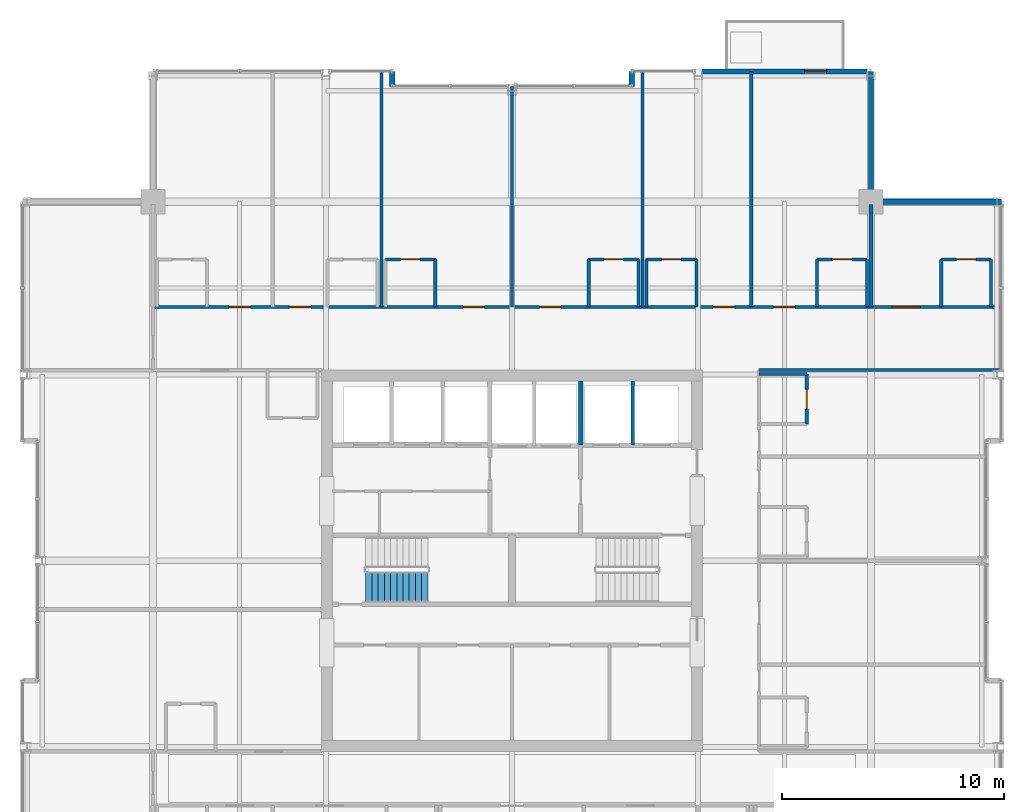
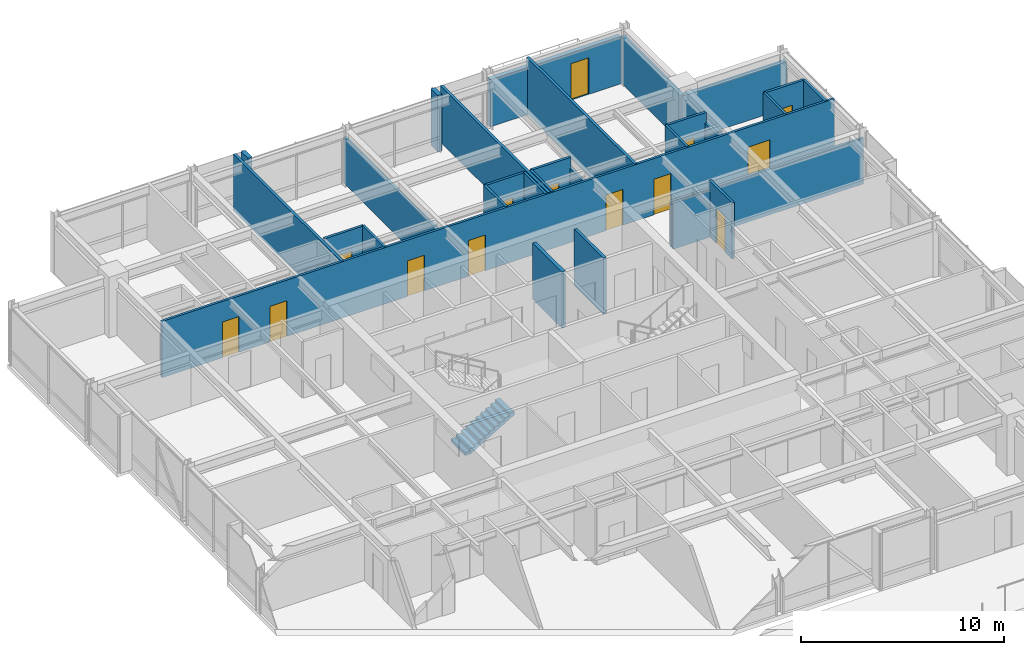
# One storey, part 28 of 32: 30 walls, 14 doors, 1 stair flight, 14 openings, 1 element without a shape of its own.
"""IFC4 building model written with IfcOpenShell, lengths in metres."""

from ifc_helpers import new_model, si_unit, direction, frame, frame_2d, origin, place, context, subcontext, project, spatial, polyline, rectangle, outline, extrude, material, layer, layer_set, type_object, element, fill, aggregate, save


model = new_model("IFC4")

# Units and contexts
model_context = context("Model", 3, precision=1e-05, world=origin(), true_north=direction((0.0, 1.0)))
body_context = subcontext(model_context, "Body", "Model", "MODEL_VIEW")
ifc_project = project(units=[si_unit("LENGTHUNIT", "METRE"), si_unit("AREAUNIT", "SQUARE_METRE"), si_unit("VOLUMEUNIT", "CUBIC_METRE"), si_unit("PLANEANGLEUNIT", "RADIAN"), si_unit("MASSUNIT", "GRAM", prefix="KILO")], contexts=[model_context])

# Site, building, storey
site_placement = place(None, origin())
site = spatial("IfcSite", under=ifc_project, at=site_placement, CompositionType="ELEMENT")
building_placement = place(site_placement, origin())
building = spatial("IfcBuilding", under=site, at=building_placement, Name="Drelvath Grand Hotel", CompositionType="ELEMENT")
storey_placement = place(building_placement, frame((0.0, 0.0, 265.0)))
storey = spatial("IfcBuildingStorey", under=building, at=storey_placement, Name="L69", CompositionType="ELEMENT", Elevation=265.0)

# Walls
ifc_material_1 = material(Name="Concrete C40/50", Category="concrete")
ifc_layer_1 = layer(ifc_material_1, 0.199951171875)
ifc_layer_set_1 = layer_set([ifc_layer_1], Name="Concrete C40/50")
wall_type_1 = type_object("IfcWallType", Name="Core Hoistway Fire Wall 200", PredefinedType="SOLIDWALL", material=ifc_layer_set_1)
wall_1_placement = place(storey_placement, frame((3.10009765625, 32.219970703125, 0.0), z_axis=(0.0, 0.0, 1.0), x_axis=(0.0, 1.0, 0.0)))
element("IfcWall", 1, at=wall_1_placement, inside=storey, type_object=wall_type_1, Name="L69 FSAE Hoistway West Wall", PredefinedType="SOLIDWALL", context=body_context, shape_type="SweptSolid", body=[
    extrude(rectangle(XDim=2.880126953125, YDim=0.199951171875, at=frame_2d((1.43994140625, 0.0))), origin(), (0.0, 0.0, 1.0), 3.389892578125),
])
ifc_material_2 = material(Name="Gypsum Fireboard Partition")
ifc_layer_2 = layer(ifc_material_2, 0.1650390625)
ifc_layer_set_2 = layer_set([ifc_layer_2], Name="Gypsum Fireboard Partition")
wall_type_2 = type_object("IfcWallType", Name="Core Shaft Partition 165", PredefinedType="PARTITIONING", material=ifc_layer_set_2)
wall_2_placement = place(storey_placement, frame((5.449951171875, 32.219970703125, 0.0), z_axis=(0.0, 0.0, 1.0), x_axis=(0.0, 1.0, 0.0)))
element("IfcWall", 2, at=wall_2_placement, inside=storey, type_object=wall_type_2, Name="L69 FSAE Hoistway Divider", PredefinedType="PARTITIONING", context=body_context, shape_type="SweptSolid", body=[
    extrude(rectangle(XDim=2.880126953125, YDim=0.1650390625, at=frame_2d((1.43994140625, 0.0))), origin(), (0.0, 0.0, 1.0), 3.389892578125),
])

# Wall, openings, doors
ifc_layer_3 = layer(ifc_material_2, 0.135009765625)
ifc_layer_set_3 = layer_set([ifc_layer_3], Name="Gypsum Fireboard Partition")
wall_type_3 = type_object("IfcWallType", Name="Corridor Fire Barrier Wall 135", PredefinedType="PARTITIONING", material=ifc_layer_set_3)
wall_3_placement = place(storey_placement, frame((-16.199951171875, 38.449951171875, 0.0), z_axis=(0.0, 0.0, 1.0), x_axis=(1.0, 0.0, 0.0)))
wall_3 = element("IfcWall", 3, at=wall_3_placement, inside=storey, type_object=wall_type_3, Name="L69 North Cross-Gallery Wall", PredefinedType="PARTITIONING", context=body_context, shape_type="SweptSolid", body=[
    extrude(rectangle(XDim=38.280029296875, YDim=0.135009765625, at=frame_2d((19.14013671875, 0.0))), origin(), (0.0, 0.0, 1.0), 3.389892578125),
])
opening_1_placement = place(wall_3_placement, frame((33.35498046875, 0.0, 0.0)))
opening_1 = element("IfcOpeningElement", 4, at=opening_1_placement, cuts=wall_3, Name="Opening D-T5G1-025", PredefinedType="OPENING", context=body_context, shape_type="SweptSolid", body=[
    extrude(rectangle(XDim=1.260009765625, YDim=2.199951171875, at=frame_2d((0.6298828125, 1.10009765625))), frame((0.0, 0.077392578125, 0.0), z_axis=(0.0, -1.0, 0.0), x_axis=(1.0, 0.0, 0.0)), (0.0, 0.0, 1.0), 0.155029296875),
])
opening_2_placement = place(wall_3_placement, frame((3.43505859375, 0.0, 0.0)))
opening_2 = element("IfcOpeningElement", 5, at=opening_2_placement, cuts=wall_3, Name="Opening D-T5G1-036", PredefinedType="OPENING", context=body_context, shape_type="SweptSolid", body=[
    extrude(rectangle(XDim=0.9599609375, YDim=2.14990234375, at=frame_2d((0.47998046875, 1.074951171875))), frame((0.0, 0.077392578125, 0.0), z_axis=(0.0, -1.0, 0.0), x_axis=(1.0, 0.0, 0.0)), (0.0, 0.0, 1.0), 0.155029296875),
])
opening_3_placement = place(wall_3_placement, frame((6.15966796875, 0.0, 0.0)))
opening_3 = element("IfcOpeningElement", 6, at=opening_3_placement, cuts=wall_3, Name="Opening D-T5G1-038", PredefinedType="OPENING", context=body_context, shape_type="SweptSolid", body=[
    extrude(rectangle(XDim=0.9599609375, YDim=2.14990234375, at=frame_2d((0.47998046875, 1.074951171875))), frame((0.0, 0.077392578125, 0.0), z_axis=(0.0, -1.0, 0.0), x_axis=(1.0, 0.0, 0.0)), (0.0, 0.0, 1.0), 0.155029296875),
])
opening_4_placement = place(wall_3_placement, frame((13.989501953125, 0.0, 0.0)))
opening_4 = element("IfcOpeningElement", 7, at=opening_4_placement, cuts=wall_3, Name="Opening D-T5G1-040", PredefinedType="OPENING", context=body_context, shape_type="SweptSolid", body=[
    extrude(rectangle(XDim=0.9599609375, YDim=2.14990234375, at=frame_2d((0.47998046875, 1.074951171875))), frame((0.0, 0.077392578125, 0.0), z_axis=(0.0, -1.0, 0.0), x_axis=(1.0, 0.0, 0.0)), (0.0, 0.0, 1.0), 0.155029296875),
])
opening_5_placement = place(wall_3_placement, frame((17.450439453125, 0.0, 0.0)))
opening_5 = element("IfcOpeningElement", 8, at=opening_5_placement, cuts=wall_3, Name="Opening D-T5G1-042", PredefinedType="OPENING", context=body_context, shape_type="SweptSolid", body=[
    extrude(rectangle(XDim=0.9599609375, YDim=2.14990234375, at=frame_2d((0.47998046875, 1.074951171875))), frame((0.0, 0.077392578125, 0.0), z_axis=(0.0, -1.0, 0.0), x_axis=(1.0, 0.0, 0.0)), (0.0, 0.0, 1.0), 0.155029296875),
])
opening_6_placement = place(wall_3_placement, frame((25.280517578125, 0.0, 0.0)))
opening_6 = element("IfcOpeningElement", 9, at=opening_6_placement, cuts=wall_3, Name="Opening D-T5G1-044", PredefinedType="OPENING", context=body_context, shape_type="SweptSolid", body=[
    extrude(rectangle(XDim=0.9599609375, YDim=2.14990234375, at=frame_2d((0.47998046875, 1.074951171875))), frame((0.0, 0.077392578125, 0.0), z_axis=(0.0, -1.0, 0.0), x_axis=(1.0, 0.0, 0.0)), (0.0, 0.0, 1.0), 0.155029296875),
])
opening_7_placement = place(wall_3_placement, frame((28.0048828125, 0.0, 0.0)))
opening_7 = element("IfcOpeningElement", 10, at=opening_7_placement, cuts=wall_3, Name="Opening D-T5G1-046", PredefinedType="OPENING", context=body_context, shape_type="SweptSolid", body=[
    extrude(rectangle(XDim=0.9599609375, YDim=2.14990234375, at=frame_2d((0.47998046875, 1.074951171875))), frame((0.0, 0.077392578125, 0.0), z_axis=(0.0, -1.0, 0.0), x_axis=(1.0, 0.0, 0.0)), (0.0, 0.0, 1.0), 0.155029296875),
])
ifc_material_3 = material(Name="Hardwood Walnut Timber", Category="wood")
door_type_1 = type_object("IfcDoorType", Name="Guestroom Entrance Fire Door 960x2150", OperationType="NOTDEFINED", PredefinedType="DOOR", material=ifc_material_3)
door_1_placement = place(opening_2_placement, origin())
door_1 = element("IfcDoor", 11, at=door_1_placement, inside=storey, type_object=door_type_1, Name="L69 King Guest Room Entry Door", OperationType="SINGLE_SWING_LEFT", OverallHeight=2.14990234375, OverallWidth=0.9599609375, PredefinedType="DOOR", context=body_context, shape_type="SweptSolid", body=[
    extrude(rectangle(XDim=0.9599609375, YDim=2.14990234375, at=frame_2d((0.47998046875, 1.074951171875))), frame((0.0, 0.02490234375, 0.0), z_axis=(0.0, -1.0, 0.0), x_axis=(1.0, 0.0, 0.0)), (0.0, 0.0, 1.0), 0.050048828125),
])
fill(opening_2, door_1)
door_2_placement = place(opening_3_placement, origin())
door_2 = element("IfcDoor", 12, at=door_2_placement, inside=storey, type_object=door_type_1, Name="L69 King Guest Room Entry Door", OperationType="SINGLE_SWING_LEFT", OverallHeight=2.14990234375, OverallWidth=0.9599609375, PredefinedType="DOOR", context=body_context, shape_type="SweptSolid", body=[
    extrude(rectangle(XDim=0.9599609375, YDim=2.14990234375, at=frame_2d((0.47998046875, 1.074951171875))), frame((0.0, 0.02490234375, 0.0), z_axis=(0.0, -1.0, 0.0), x_axis=(1.0, 0.0, 0.0)), (0.0, 0.0, 1.0), 0.050048828125),
])
fill(opening_3, door_2)
door_3_placement = place(opening_4_placement, origin())
door_3 = element("IfcDoor", 13, at=door_3_placement, inside=storey, type_object=door_type_1, Name="L69 King Guest Room Entry Door", OperationType="SINGLE_SWING_LEFT", OverallHeight=2.14990234375, OverallWidth=0.9599609375, PredefinedType="DOOR", context=body_context, shape_type="SweptSolid", body=[
    extrude(rectangle(XDim=0.9599609375, YDim=2.14990234375, at=frame_2d((0.47998046875, 1.074951171875))), frame((0.0, 0.02490234375, 0.0), z_axis=(0.0, -1.0, 0.0), x_axis=(1.0, 0.0, 0.0)), (0.0, 0.0, 1.0), 0.050048828125),
])
fill(opening_4, door_3)
door_4_placement = place(opening_5_placement, origin())
door_4 = element("IfcDoor", 14, at=door_4_placement, inside=storey, type_object=door_type_1, Name="L69 King Guest Room Entry Door", OperationType="SINGLE_SWING_LEFT", OverallHeight=2.14990234375, OverallWidth=0.9599609375, PredefinedType="DOOR", context=body_context, shape_type="SweptSolid", body=[
    extrude(rectangle(XDim=0.9599609375, YDim=2.14990234375, at=frame_2d((0.47998046875, 1.074951171875))), frame((0.0, 0.02490234375, 0.0), z_axis=(0.0, -1.0, 0.0), x_axis=(1.0, 0.0, 0.0)), (0.0, 0.0, 1.0), 0.050048828125),
])
fill(opening_5, door_4)
door_5_placement = place(opening_6_placement, origin())
door_5 = element("IfcDoor", 15, at=door_5_placement, inside=storey, type_object=door_type_1, Name="L69 King Guest Room Entry Door", OperationType="SINGLE_SWING_LEFT", OverallHeight=2.14990234375, OverallWidth=0.9599609375, PredefinedType="DOOR", context=body_context, shape_type="SweptSolid", body=[
    extrude(rectangle(XDim=0.9599609375, YDim=2.14990234375, at=frame_2d((0.47998046875, 1.074951171875))), frame((0.0, 0.02490234375, 0.0), z_axis=(0.0, -1.0, 0.0), x_axis=(1.0, 0.0, 0.0)), (0.0, 0.0, 1.0), 0.050048828125),
])
fill(opening_6, door_5)
door_6_placement = place(opening_7_placement, origin())
door_6 = element("IfcDoor", 16, at=door_6_placement, inside=storey, type_object=door_type_1, Name="L69 King Guest Room Entry Door", OperationType="SINGLE_SWING_LEFT", OverallHeight=2.14990234375, OverallWidth=0.9599609375, PredefinedType="DOOR", context=body_context, shape_type="SweptSolid", body=[
    extrude(rectangle(XDim=0.9599609375, YDim=2.14990234375, at=frame_2d((0.47998046875, 1.074951171875))), frame((0.0, 0.02490234375, 0.0), z_axis=(0.0, -1.0, 0.0), x_axis=(1.0, 0.0, 0.0)), (0.0, 0.0, 1.0), 0.050048828125),
])
fill(opening_7, door_6)
door_type_2 = type_object("IfcDoorType", Name="Suite Entrance Fire Door 1260x2200", OperationType="NOTDEFINED", PredefinedType="DOOR", material=ifc_material_3)
door_7_placement = place(opening_1_placement, origin())
door_7 = element("IfcDoor", 17, at=door_7_placement, inside=storey, type_object=door_type_2, Name="L69 Royal Suite Entry Door", OperationType="SINGLE_SWING_RIGHT", OverallHeight=2.199951171875, OverallWidth=1.260009765625, PredefinedType="DOOR", context=body_context, shape_type="SweptSolid", body=[
    extrude(rectangle(XDim=1.260009765625, YDim=2.199951171875, at=frame_2d((0.6298828125, 1.10009765625))), frame((0.0, 0.02490234375, 0.0), z_axis=(0.0, -1.0, 0.0), x_axis=(1.0, 0.0, 0.0)), (0.0, 0.0, 1.0), 0.050048828125),
])
fill(opening_1, door_7)

# Walls
wall_4_placement = place(storey_placement, frame((11.14990234375, 35.60009765625, 0.0), z_axis=(0.0, 0.0, 1.0), x_axis=(1.0, 0.0, 0.0)))
element("IfcWall", 18, at=wall_4_placement, inside=storey, type_object=wall_type_3, Name="L69 North Gallery Inner East Wall", PredefinedType="PARTITIONING", context=body_context, shape_type="SweptSolid", body=[
    extrude(rectangle(XDim=10.93017578125, YDim=0.135009765625, at=frame_2d((5.465087890625, 0.0))), origin(), (0.0, 0.0, 1.0), 2.767333984375),
])
ifc_material_4 = material(Name="Moisture-Resistant Gypsum Board")
ifc_layer_4 = layer(ifc_material_4, 0.139892578125)
ifc_layer_set_4 = layer_set([ifc_layer_4], Name="Moisture-Resistant Gypsum Board")
wall_type_4 = type_object("IfcWallType", Name="En-Suite Plumbing Wall 140", PredefinedType="PLUMBINGWALL", material=ifc_layer_set_4)
for number, where, z_axis, x_axis, name in (
    (19, (19.3701171875, 38.449951171875, 0.0), (0.0, 0.0, 1.0), (0.0, 1.0, 0.0), "L69 En-Suite Left Wall"),
    (20, (21.6201171875, 38.449951171875, 0.0), (0.0, 0.0, 1.0), (0.0, 1.0, 0.0), "L69 En-Suite Right Wall"),
):
    element("IfcWall", number, at=place(storey_placement, frame(where, z_axis=z_axis, x_axis=x_axis)), inside=storey, type_object=wall_type_4, Name=name, PredefinedType="PLUMBINGWALL", context=body_context, shape_type="SweptSolid", body=[
        extrude(rectangle(XDim=2.150146484375, YDim=0.139892578125, at=frame_2d((1.0751953125, 0.0))), origin(), (0.0, 0.0, 1.0), 3.389892578125),
    ])

# Wall, opening, door
wall_5_placement = place(storey_placement, frame((19.3701171875, 40.60009765625, 0.0), z_axis=(0.0, 0.0, 1.0), x_axis=(1.0, 0.0, 0.0)))
wall_5 = element("IfcWall", 21, at=wall_5_placement, inside=storey, type_object=wall_type_4, Name="L69 En-Suite Front Wall", PredefinedType="PLUMBINGWALL", context=body_context, shape_type="SweptSolid", body=[
    extrude(rectangle(XDim=2.25, YDim=0.139892578125, at=frame_2d((1.125, 0.0))), origin(), (0.0, 0.0, 1.0), 3.389892578125),
])
opening_8_placement = place(wall_5_placement, frame((0.68505859375, 0.0, 0.0)))
opening_8 = element("IfcOpeningElement", 22, at=opening_8_placement, cuts=wall_5, Name="Opening D-T5G1-024", PredefinedType="OPENING", context=body_context, shape_type="SweptSolid", body=[
    extrude(rectangle(XDim=0.8798828125, YDim=2.10009765625, at=frame_2d((0.43994140625, 1.050048828125))), frame((0.0, 0.079833984375, 0.0), z_axis=(0.0, -1.0, 0.0), x_axis=(1.0, 0.0, 0.0)), (0.0, 0.0, 1.0), 0.159912109375),
])
door_type_3 = type_object("IfcDoorType", Name="En-Suite Bathroom Door 880x2100", OperationType="NOTDEFINED", PredefinedType="DOOR", material=ifc_material_3)
door_8_placement = place(opening_8_placement, origin())
door_8 = element("IfcDoor", 23, at=door_8_placement, inside=storey, type_object=door_type_3, Name="L69 En-Suite Bathroom Door", OperationType="SINGLE_SWING_LEFT", OverallHeight=2.10009765625, OverallWidth=0.8798828125, PredefinedType="DOOR", context=body_context, shape_type="SweptSolid", body=[
    extrude(rectangle(XDim=0.8798828125, YDim=2.10009765625, at=frame_2d((0.43994140625, 1.050048828125))), frame((0.0, 0.02490234375, 0.0), z_axis=(0.0, -1.0, 0.0), x_axis=(1.0, 0.0, 0.0)), (0.0, 0.0, 1.0), 0.050048828125),
])
fill(opening_8, door_8)

# Wall
wall_6_placement = place(storey_placement, frame((-3.4609375, 38.449951171875, 0.0), z_axis=(0.0, 0.0, 1.0), x_axis=(0.0, 1.0, 0.0)))
element("IfcWall", 24, at=wall_6_placement, inside=storey, type_object=wall_type_4, Name="L69 En-Suite Right Wall", PredefinedType="PLUMBINGWALL", context=body_context, shape_type="SweptSolid", body=[
    extrude(rectangle(XDim=2.150146484375, YDim=0.139892578125, at=frame_2d((1.0751953125, 0.0))), origin(), (0.0, 0.0, 1.0), 3.389892578125),
])

# Wall, opening, door
wall_7_placement = place(storey_placement, frame((-5.7109375, 40.60009765625, 0.0), z_axis=(0.0, 0.0, 1.0), x_axis=(1.0, 0.0, 0.0)))
wall_7 = element("IfcWall", 25, at=wall_7_placement, inside=storey, type_object=wall_type_4, Name="L69 En-Suite Front Wall", PredefinedType="PLUMBINGWALL", context=body_context, shape_type="SweptSolid", body=[
    extrude(rectangle(XDim=2.25, YDim=0.139892578125, at=frame_2d((1.125, 0.0))), origin(), (0.0, 0.0, 1.0), 3.389892578125),
])
opening_9_placement = place(wall_7_placement, frame((0.68505859375, 0.0, 0.0)))
opening_9 = element("IfcOpeningElement", 26, at=opening_9_placement, cuts=wall_7, Name="Opening D-T5G1-039", PredefinedType="OPENING", context=body_context, shape_type="SweptSolid", body=[
    extrude(rectangle(XDim=0.8798828125, YDim=2.10009765625, at=frame_2d((0.43994140625, 1.050048828125))), frame((0.0, 0.079833984375, 0.0), z_axis=(0.0, -1.0, 0.0), x_axis=(1.0, 0.0, 0.0)), (0.0, 0.0, 1.0), 0.159912109375),
])
door_9_placement = place(opening_9_placement, origin())
door_9 = element("IfcDoor", 27, at=door_9_placement, inside=storey, type_object=door_type_3, Name="L69 En-Suite Bathroom Door", OperationType="SINGLE_SWING_RIGHT", OverallHeight=2.10009765625, OverallWidth=0.8798828125, PredefinedType="DOOR", context=body_context, shape_type="SweptSolid", body=[
    extrude(rectangle(XDim=0.8798828125, YDim=2.10009765625, at=frame_2d((0.43994140625, 1.050048828125))), frame((0.0, 0.02490234375, 0.0), z_axis=(0.0, -1.0, 0.0), x_axis=(1.0, 0.0, 0.0)), (0.0, 0.0, 1.0), 0.050048828125),
])
fill(opening_9, door_9)

# Walls
for number, where, z_axis, x_axis, name in (
    (28, (3.4609375, 38.449951171875, 0.0), (0.0, 0.0, 1.0), (0.0, 1.0, 0.0), "L69 En-Suite Left Wall"),
    (29, (5.7109375, 38.449951171875, 0.0), (0.0, 0.0, 1.0), (0.0, 1.0, 0.0), "L69 En-Suite Right Wall"),
):
    element("IfcWall", number, at=place(storey_placement, frame(where, z_axis=z_axis, x_axis=x_axis)), inside=storey, type_object=wall_type_4, Name=name, PredefinedType="PLUMBINGWALL", context=body_context, shape_type="SweptSolid", body=[
        extrude(rectangle(XDim=2.150146484375, YDim=0.139892578125, at=frame_2d((1.0751953125, 0.0))), origin(), (0.0, 0.0, 1.0), 3.389892578125),
    ])

# Wall, opening, door
wall_8_placement = place(storey_placement, frame((3.4609375, 40.60009765625, 0.0), z_axis=(0.0, 0.0, 1.0), x_axis=(1.0, 0.0, 0.0)))
wall_8 = element("IfcWall", 30, at=wall_8_placement, inside=storey, type_object=wall_type_4, Name="L69 En-Suite Front Wall", PredefinedType="PLUMBINGWALL", context=body_context, shape_type="SweptSolid", body=[
    extrude(rectangle(XDim=2.25, YDim=0.139892578125, at=frame_2d((1.125, 0.0))), origin(), (0.0, 0.0, 1.0), 3.389892578125),
])
opening_10_placement = place(wall_8_placement, frame((0.68505859375, 0.0, 0.0)))
opening_10 = element("IfcOpeningElement", 31, at=opening_10_placement, cuts=wall_8, Name="Opening D-T5G1-041", PredefinedType="OPENING", context=body_context, shape_type="SweptSolid", body=[
    extrude(rectangle(XDim=0.8798828125, YDim=2.10009765625, at=frame_2d((0.43994140625, 1.050048828125))), frame((0.0, 0.079833984375, 0.0), z_axis=(0.0, -1.0, 0.0), x_axis=(1.0, 0.0, 0.0)), (0.0, 0.0, 1.0), 0.159912109375),
])
door_10_placement = place(opening_10_placement, origin())
door_10 = element("IfcDoor", 32, at=door_10_placement, inside=storey, type_object=door_type_3, Name="L69 En-Suite Bathroom Door", OperationType="SINGLE_SWING_RIGHT", OverallHeight=2.10009765625, OverallWidth=0.8798828125, PredefinedType="DOOR", context=body_context, shape_type="SweptSolid", body=[
    extrude(rectangle(XDim=0.8798828125, YDim=2.10009765625, at=frame_2d((0.43994140625, 1.050048828125))), frame((0.0, 0.02490234375, 0.0), z_axis=(0.0, -1.0, 0.0), x_axis=(1.0, 0.0, 0.0)), (0.0, 0.0, 1.0), 0.050048828125),
])
fill(opening_10, door_10)

# Walls
wall_9_placement = place(storey_placement, frame((6.07080078125, 38.449951171875, 0.0), z_axis=(0.0, 0.0, 1.0), x_axis=(0.0, 1.0, 0.0)))
element("IfcWall", 33, at=wall_9_placement, inside=storey, type_object=wall_type_4, Name="L69 En-Suite Left Wall", PredefinedType="PLUMBINGWALL", context=body_context, shape_type="SweptSolid", body=[
    extrude(rectangle(XDim=2.150146484375, YDim=0.139892578125, at=frame_2d((1.0751953125, 0.0))), origin(), (0.0, 0.0, 1.0), 3.389892578125),
])
wall_10_placement = place(storey_placement, frame((8.32080078125, 38.449951171875, 0.0), z_axis=(0.0, 0.0, 1.0), x_axis=(0.0, 1.0, 0.0)))
element("IfcWall", 34, at=wall_10_placement, inside=storey, type_object=wall_type_4, Name="L69 En-Suite Right Wall", PredefinedType="PLUMBINGWALL", context=body_context, shape_type="SweptSolid", body=[
    extrude(rectangle(XDim=2.150146484375, YDim=0.139892578125, at=frame_2d((1.0751953125, 0.0))), origin(), (0.0, 0.0, 1.0), 2.767333984375),
])

# Wall, opening, door
wall_11_placement = place(storey_placement, frame((6.07080078125, 40.60009765625, 0.0), z_axis=(0.0, 0.0, 1.0), x_axis=(1.0, 0.0, 0.0)))
wall_11 = element("IfcWall", 35, at=wall_11_placement, inside=storey, type_object=wall_type_4, Name="L69 En-Suite Front Wall", PredefinedType="PLUMBINGWALL", context=body_context, shape_type="SweptSolid", body=[
    extrude(rectangle(XDim=2.25, YDim=0.139892578125, at=frame_2d((1.125, 0.0))), origin(), (0.0, 0.0, 1.0), 3.389892578125),
])
opening_11_placement = place(wall_11_placement, frame((0.68505859375, 0.0, 0.0)))
opening_11 = element("IfcOpeningElement", 36, at=opening_11_placement, cuts=wall_11, Name="Opening D-T5G1-043", PredefinedType="OPENING", context=body_context, shape_type="SweptSolid", body=[
    extrude(rectangle(XDim=0.8798828125, YDim=2.10009765625, at=frame_2d((0.43994140625, 1.050048828125))), frame((0.0, 0.079833984375, 0.0), z_axis=(0.0, -1.0, 0.0), x_axis=(1.0, 0.0, 0.0)), (0.0, 0.0, 1.0), 0.159912109375),
])
door_11_placement = place(opening_11_placement, origin())
door_11 = element("IfcDoor", 37, at=door_11_placement, inside=storey, type_object=door_type_3, Name="L69 En-Suite Bathroom Door", OperationType="SINGLE_SWING_RIGHT", OverallHeight=2.10009765625, OverallWidth=0.8798828125, PredefinedType="DOOR", context=body_context, shape_type="SweptSolid", body=[
    extrude(rectangle(XDim=0.8798828125, YDim=2.10009765625, at=frame_2d((0.43994140625, 1.050048828125))), frame((0.0, 0.02490234375, 0.0), z_axis=(0.0, -1.0, 0.0), x_axis=(1.0, 0.0, 0.0)), (0.0, 0.0, 1.0), 0.050048828125),
])
fill(opening_11, door_11)

# Walls
wall_12_placement = place(storey_placement, frame((13.77001953125, 38.449951171875, 0.0), z_axis=(0.0, 0.0, 1.0), x_axis=(0.0, 1.0, 0.0)))
element("IfcWall", 38, at=wall_12_placement, inside=storey, type_object=wall_type_4, Name="L69 En-Suite Left Wall", PredefinedType="PLUMBINGWALL", context=body_context, shape_type="SweptSolid", body=[
    extrude(rectangle(XDim=2.150146484375, YDim=0.139892578125, at=frame_2d((1.0751953125, 0.0))), origin(), (0.0, 0.0, 1.0), 3.389892578125),
])
wall_13_placement = place(storey_placement, frame((16.02001953125, 38.449951171875, 0.0), z_axis=(0.0, 0.0, 1.0), x_axis=(0.0, 1.0, 0.0)))
element("IfcWall", 39, at=wall_13_placement, inside=storey, type_object=wall_type_4, Name="L69 En-Suite Right Wall", PredefinedType="PLUMBINGWALL", context=body_context, shape_type="SweptSolid", body=[
    extrude(rectangle(XDim=2.150146484375, YDim=0.139892578125, at=frame_2d((1.0751953125, 0.0))), origin(), (0.0, 0.0, 1.0), 2.763916015625),
])

# Wall, opening, door
wall_14_placement = place(storey_placement, frame((13.77001953125, 40.60009765625, 0.0), z_axis=(0.0, 0.0, 1.0), x_axis=(1.0, 0.0, 0.0)))
wall_14 = element("IfcWall", 40, at=wall_14_placement, inside=storey, type_object=wall_type_4, Name="L69 En-Suite Front Wall", PredefinedType="PLUMBINGWALL", context=body_context, shape_type="SweptSolid", body=[
    extrude(rectangle(XDim=2.25, YDim=0.139892578125, at=frame_2d((1.125, 0.0))), origin(), (0.0, 0.0, 1.0), 3.389892578125),
])
opening_12_placement = place(wall_14_placement, frame((0.68505859375, 0.0, 0.0)))
opening_12 = element("IfcOpeningElement", 41, at=opening_12_placement, cuts=wall_14, Name="Opening D-T5G1-045", PredefinedType="OPENING", context=body_context, shape_type="SweptSolid", body=[
    extrude(rectangle(XDim=0.8798828125, YDim=2.10009765625, at=frame_2d((0.43994140625, 1.050048828125))), frame((0.0, 0.079833984375, 0.0), z_axis=(0.0, -1.0, 0.0), x_axis=(1.0, 0.0, 0.0)), (0.0, 0.0, 1.0), 0.159912109375),
])
door_12_placement = place(opening_12_placement, origin())
door_12 = element("IfcDoor", 42, at=door_12_placement, inside=storey, type_object=door_type_3, Name="L69 En-Suite Bathroom Door", OperationType="SINGLE_SWING_RIGHT", OverallHeight=2.10009765625, OverallWidth=0.8798828125, PredefinedType="DOOR", context=body_context, shape_type="SweptSolid", body=[
    extrude(rectangle(XDim=0.8798828125, YDim=2.10009765625, at=frame_2d((0.43994140625, 1.050048828125))), frame((0.0, 0.02490234375, 0.0), z_axis=(0.0, -1.0, 0.0), x_axis=(1.0, 0.0, 0.0)), (0.0, 0.0, 1.0), 0.050048828125),
])
fill(opening_12, door_12)

# Wall
wall_15_placement = place(storey_placement, frame((11.14990234375, 35.419921875, 0.0), z_axis=(0.0, 0.0, 1.0), x_axis=(1.0, 0.0, 0.0)))
element("IfcWall", 43, at=wall_15_placement, inside=storey, type_object=wall_type_4, Name="L69 En-Suite Right Wall", PredefinedType="PLUMBINGWALL", context=body_context, shape_type="SweptSolid", body=[
    extrude(rectangle(XDim=2.150146484375, YDim=0.139892578125, at=frame_2d((1.0751953125, 0.0))), origin(), (0.0, 0.0, 1.0), 2.767333984375),
])

# Wall, opening, door
wall_16_placement = place(storey_placement, frame((13.300048828125, 33.169921875, 0.0), z_axis=(0.0, 0.0, 1.0), x_axis=(0.0, 1.0, 0.0)))
wall_16 = element("IfcWall", 44, at=wall_16_placement, inside=storey, type_object=wall_type_4, Name="L69 En-Suite Front Wall", PredefinedType="PLUMBINGWALL", context=body_context, shape_type="SweptSolid", body=[
    extrude(rectangle(XDim=2.25, YDim=0.139892578125, at=frame_2d((1.125, 0.0))), origin(), (0.0, 0.0, 1.0), 3.389892578125),
])
opening_13_placement = place(wall_16_placement, frame((0.68505859375, 0.0, 0.0)))
opening_13 = element("IfcOpeningElement", 45, at=opening_13_placement, cuts=wall_16, Name="Opening D-T5G1-052", PredefinedType="OPENING", context=body_context, shape_type="SweptSolid", body=[
    extrude(rectangle(XDim=0.8798828125, YDim=2.10009765625, at=frame_2d((0.43994140625, 1.050048828125))), frame((0.0, 0.079833984375, 0.0), z_axis=(0.0, -1.0, 0.0), x_axis=(1.0, 0.0, 0.0)), (0.0, 0.0, 1.0), 0.159912109375),
])
door_13_placement = place(opening_13_placement, origin())
door_13 = element("IfcDoor", 46, at=door_13_placement, inside=storey, type_object=door_type_3, Name="L69 En-Suite Bathroom Door", OperationType="SINGLE_SWING_LEFT", OverallHeight=2.10009765625, OverallWidth=0.8798828125, PredefinedType="DOOR", context=body_context, shape_type="SweptSolid", body=[
    extrude(rectangle(XDim=0.8798828125, YDim=2.10009765625, at=frame_2d((0.43994140625, 1.050048828125))), frame((0.0, 0.02490234375, 0.0), z_axis=(0.0, -1.0, 0.0), x_axis=(1.0, 0.0, 0.0)), (0.0, 0.0, 1.0), 0.050048828125),
])
fill(opening_13, door_13)

# Walls
ifc_material_5 = material(Name="Gypsum Acoustic Partition")
ifc_layer_5 = layer(ifc_material_5, 0.14990234375)
ifc_layer_set_5 = layer_set([ifc_layer_5], Name="Gypsum Acoustic Partition")
wall_type_5 = type_object("IfcWallType", Name="Guestroom Demising Wall 150", PredefinedType="PARTITIONING", material=ifc_layer_set_5)
wall_17_placement = place(storey_placement, frame((-5.890869140625, 38.449951171875, 0.0), z_axis=(0.0, 0.0, 1.0), x_axis=(0.0, 1.0, 0.0)))
element("IfcWall", 47, at=wall_17_placement, inside=storey, type_object=wall_type_5, Name="L69 North Demising 2", PredefinedType="PARTITIONING", context=body_context, shape_type="SweptSolid", body=[
    extrude(rectangle(XDim=10.630126953125, YDim=0.14990234375, at=frame_2d((5.31494140625, 0.0))), origin(), (0.0, 0.0, 1.0), 3.389892578125),
])
wall_18_placement = place(storey_placement, frame((0.0, 38.449951171875, 0.0), z_axis=(0.0, 0.0, 1.0), x_axis=(0.0, 1.0, 0.0)))
element("IfcWall", 48, at=wall_18_placement, inside=storey, type_object=wall_type_5, Name="L69 North Demising 3", PredefinedType="PARTITIONING", context=body_context, shape_type="SweptSolid", body=[
    extrude(rectangle(XDim=9.949951171875, YDim=0.14990234375, at=frame_2d((4.97509765625, 0.0))), origin(), (0.0, 0.0, 1.0), 2.767333984375),
])
for number, where, z_axis, x_axis, name in (
    (49, (5.890869140625, 38.449951171875, 0.0), (0.0, 0.0, 1.0), (0.0, 1.0, 0.0), "L69 North Demising 4"),
    (50, (10.800048828125, 38.449951171875, 0.0), (0.0, 0.0, 1.0), (0.0, 1.0, 0.0), "L69 North Demising 5"),
):
    element("IfcWall", number, at=place(storey_placement, frame(where, z_axis=z_axis, x_axis=x_axis)), inside=storey, type_object=wall_type_5, Name=name, PredefinedType="PARTITIONING", context=body_context, shape_type="SweptSolid", body=[
        extrude(rectangle(XDim=10.630126953125, YDim=0.14990234375, at=frame_2d((5.31494140625, 0.0))), origin(), (0.0, 0.0, 1.0), 3.389892578125),
    ])
ifc_layer_6 = layer(ifc_material_5, 0.1650390625)
ifc_layer_set_6 = layer_set([ifc_layer_6], Name="Gypsum Acoustic Partition")
wall_type_6 = type_object("IfcWallType", Name="Suite Demising Wall 165", PredefinedType="PARTITIONING", material=ifc_layer_set_6)
wall_19_placement = place(storey_placement, frame((16.199951171875, 38.449951171875, 0.0), z_axis=(0.0, 0.0, 1.0), x_axis=(0.0, 1.0, 0.0)))
element("IfcWall", 51, at=wall_19_placement, inside=storey, type_object=wall_type_6, Name="L69 NE Suite Wall", PredefinedType="PARTITIONING", context=body_context, shape_type="SweptSolid", body=[
    extrude(rectangle(XDim=4.630126953125, YDim=0.1650390625, at=frame_2d((2.31494140625, 0.0))), origin(), (0.0, 0.0, 1.0), 2.763916015625),
])

# Wall, opening, door
ifc_material_6 = material(Name="Pale-Metal Insulated Aluminium Spandrel Assembly", Category="aluminium")
ifc_layer_7 = layer(ifc_material_6, 0.239990234375)
ifc_layer_set_7 = layer_set([ifc_layer_7], Name="Pale-Metal Insulated Aluminium Spandrel Assembly")
wall_type_7 = type_object("IfcWallType", Name="Tower Insulated Metal Spandrel Closure Wall 240", PredefinedType="STANDARD", material=ifc_layer_set_7)
wall_20_placement = place(storey_placement, frame((8.578125, 49.080078125, 0.0), z_axis=(0.0, 0.0, 1.0), x_axis=(1.0, 0.0, 0.0)))
wall_20 = element("IfcWall", 52, at=wall_20_placement, inside=storey, type_object=wall_type_7, Name="L69 Exterior Terrace Door Bay Wall NE2", PredefinedType="STANDARD", context=body_context, shape_type="SweptSolid", body=[
    extrude(rectangle(XDim=7.443603515625, YDim=0.239990234375, at=frame_2d((3.7216796875, 0.0))), origin(), (0.0, 0.0, 1.0), 2.853271484375),
])
opening_14_placement = place(wall_20_placement, frame((4.621826171875, 0.0, 0.0)))
opening_14 = element("IfcOpeningElement", 53, at=opening_14_placement, cuts=wall_20, Name="Opening TD-1000", PredefinedType="OPENING", context=body_context, shape_type="SweptSolid", body=[
    extrude(rectangle(XDim=1.0, YDim=2.199951171875, at=frame_2d((0.5, 1.10009765625))), frame((0.0, 0.1298828125, 0.0), z_axis=(0.0, -1.0, 0.0), x_axis=(1.0, 0.0, 0.0)), (0.0, 0.0, 1.0), 0.260009765625),
])
ifc_material_7 = material(Name="Anodised Aluminium Thermally Broken Glazed Door", Category="aluminium")
door_type_4 = type_object("IfcDoorType", Name="Terrace and Tree Balcony Glazed Door 1000x2200", OperationType="NOTDEFINED", PredefinedType="DOOR", material=ifc_material_7)
door_14_placement = place(opening_14_placement, origin())
door_14 = element("IfcDoor", 54, at=door_14_placement, inside=storey, type_object=door_type_4, Name="L69 Tree Balcony Door DOOR-L69-TBAL-1", OperationType="SINGLE_SWING_RIGHT", OverallHeight=2.199951171875, OverallWidth=1.0, PredefinedType="DOOR", context=body_context, shape_type="SweptSolid", body=[
    extrude(rectangle(XDim=1.0, YDim=2.199951171875, at=frame_2d((0.5, 1.10009765625))), frame((0.0, 0.02490234375, 0.0), z_axis=(0.0, -1.0, 0.0), x_axis=(1.0, 0.0, 0.0)), (0.0, 0.0, 1.0), 0.050048828125),
])
fill(opening_14, door_14)

# Walls
for number, where, z_axis, x_axis, name in (
    (55, (16.199951171875, 49.080078125, 0.0), (0.0, 0.0, 1.0), (0.0, -1.0, 0.0), "L69 Notched Corner Return Spandrel Wall CNE1"),
    (56, (16.199951171875, 43.199951171875, 0.0), (0.0, 0.0, 1.0), (1.0, 0.0, 0.0), "L69 Notched Corner Return Spandrel Wall CNE2"),
):
    element("IfcWall", number, at=place(storey_placement, frame(where, z_axis=z_axis, x_axis=x_axis)), inside=storey, type_object=wall_type_7, Name=name, PredefinedType="STANDARD", context=body_context, shape_type="SweptSolid", body=[
        extrude(rectangle(XDim=5.880126953125, YDim=0.239990234375, at=frame_2d((2.93994140625, 0.0))), origin(), (0.0, 0.0, 1.0), 2.779052734375),
    ])
for number, where, z_axis, x_axis, name in (
    (57, (-5.39990234375, 49.080078125, 0.0), (0.0, 0.0, 1.0), (0.0, -1.0, 0.0), "L69 Notched Corner Return Spandrel Wall RN1"),
    (58, (5.39990234375, 48.39990234375, 0.0), (0.0, 0.0, 1.0), (0.0, 1.0, 0.0), "L69 Notched Corner Return Spandrel Wall RN2"),
):
    element("IfcWall", number, at=place(storey_placement, frame(where, z_axis=z_axis, x_axis=x_axis)), inside=storey, type_object=wall_type_7, Name=name, PredefinedType="STANDARD", context=body_context, shape_type="SweptSolid", body=[
        extrude(rectangle(XDim=0.68017578125, YDim=0.239990234375, at=frame_2d((0.340087890625, 0.0))), origin(), (0.0, 0.0, 1.0), 3.389892578125),
    ])

# Stair, stair flight
stair_type = type_object("IfcStairType", Name="Dogleg Exit Stair W1400-R165.9", PredefinedType="HALF_TURN_STAIR", material=ifc_material_1)
stair_placement = place(storey_placement, origin())
stair = element("IfcStair", 59, at=stair_placement, inside=storey, type_object=stair_type, Name="L69 Core Exit Stair ST-1", PredefinedType="HALF_TURN_STAIR")
stair_flight_type = type_object("IfcStairFlightType", Name="Concrete Stair Flight W1400-R165.9", PredefinedType="STRAIGHT", material=ifc_material_1)
stair_flight_placement = place(storey_placement, frame((-6.60009765625, 25.820068359375, 0.0), z_axis=(0.0, 0.0, 1.0), x_axis=(1.0, 0.0, 0.0)))
stair_flight = element("IfcStairFlight", 60, at=stair_flight_placement, type_object=stair_flight_type, Name="ST-1 flight 1", NumberOfRisers=11, NumberOfTreads=10, PredefinedType="STRAIGHT", RiserHeight=0.165909091, TreadLength=0.28, context=body_context, shape_type="SweptSolid", body=[
    extrude(outline(polyline([(0.0, 0.0), (0.0, 0.166015625), (0.280029296875, 0.166015625), (0.280029296875, 0.331787109375), (0.56005859375, 0.331787109375), (0.56005859375, 0.497802734375), (0.840087890625, 0.497802734375), (0.840087890625, 0.66357421875), (1.1201171875, 0.66357421875), (1.1201171875, 0.82958984375), (1.39990234375, 0.82958984375), (1.39990234375, 0.995361328125), (1.679931640625, 0.995361328125), (1.679931640625, 1.161376953125), (1.9599609375, 1.161376953125), (1.9599609375, 1.327392578125), (2.239990234375, 1.327392578125), (2.239990234375, 1.4931640625), (2.52001953125, 1.4931640625), (2.52001953125, 1.6591796875), (2.800048828125, 1.6591796875), (2.800048828125, 1.824951171875), (2.800048828125, 1.47314453125), (0.313720703125, 0.0), (0.0, 0.0)])), frame((0.0, 0.699951171875, 0.0), z_axis=(0.0, -1.0, 0.0), x_axis=(1.0, 0.0, 0.0)), (0.0, 0.0, 1.0), 1.39990234375),
])
aggregate(stair, [stair_flight])

save(model, "model.ifc")
